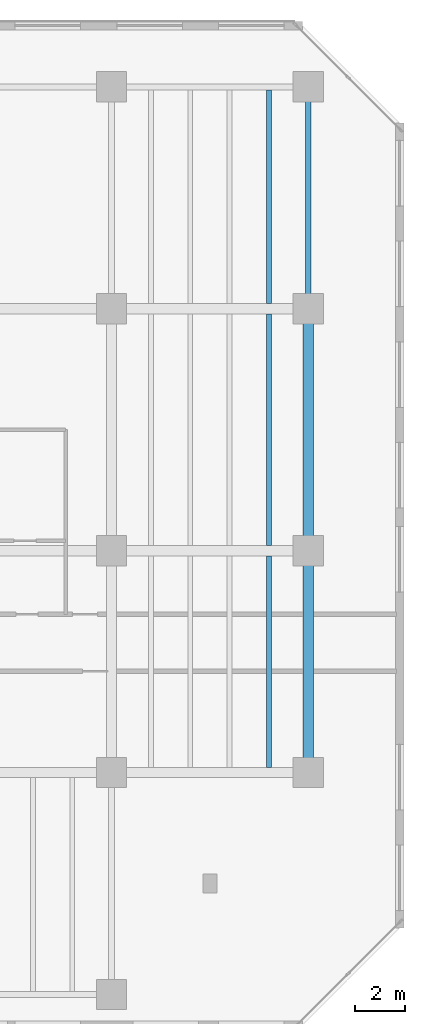
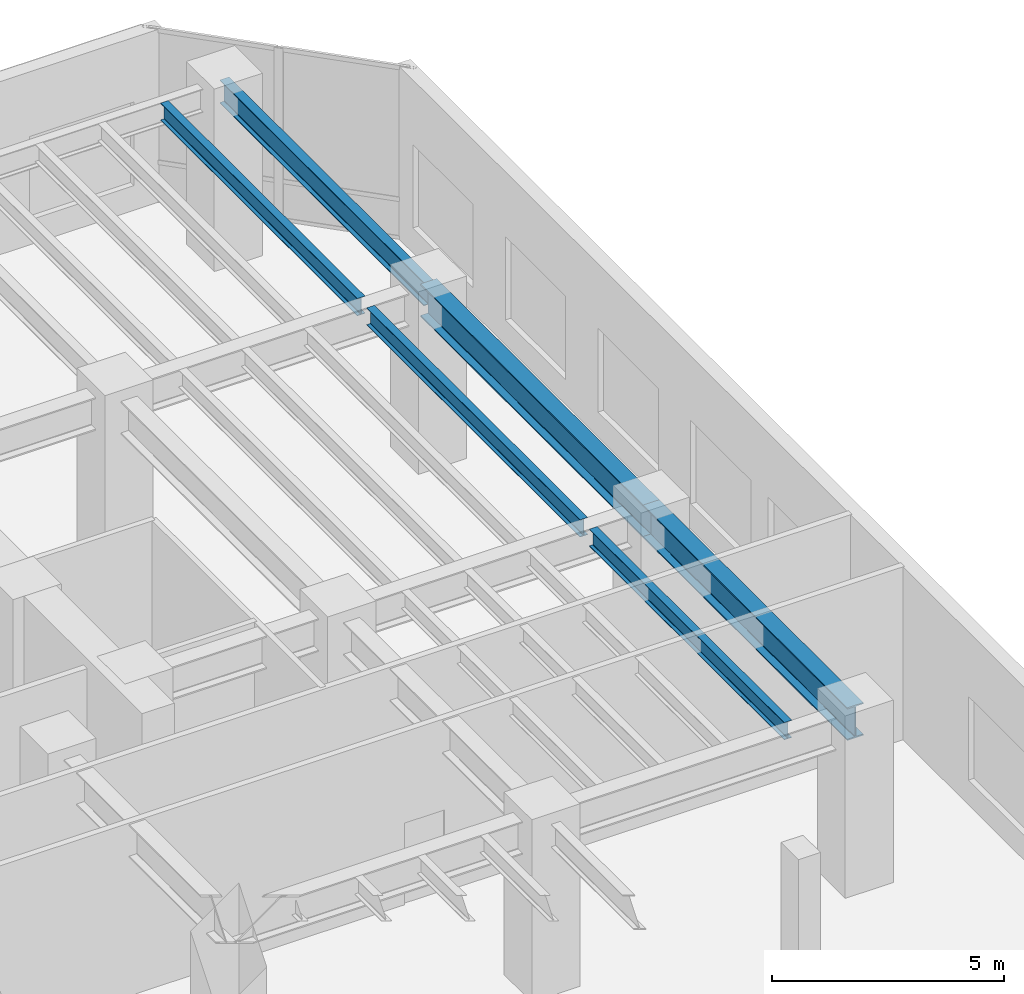
# One storey, part 7 of 17: 6 beams.
"""IFC4 building model written with IfcOpenShell, lengths in metres."""

from ifc_helpers import new_model, si_unit, direction, frame, origin, origin_2d, place, context, subcontext, project, spatial, i_section, extrude, material, material_profile, profile_set, type_object, element, save


model = new_model("IFC4")

# Units and contexts
model_context = context("Model", 3, precision=1e-05, world=origin(), true_north=direction((0.0, 1.0)))
body_context = subcontext(model_context, "Body", "Model", "MODEL_VIEW")
ifc_project = project(units=[si_unit("LENGTHUNIT", "METRE"), si_unit("AREAUNIT", "SQUARE_METRE"), si_unit("VOLUMEUNIT", "CUBIC_METRE"), si_unit("PLANEANGLEUNIT", "RADIAN"), si_unit("MASSUNIT", "GRAM", prefix="KILO")], contexts=[model_context])

# Site, building, storey
site_placement = place(None, origin())
site = spatial("IfcSite", under=ifc_project, at=site_placement, CompositionType="ELEMENT")
building_placement = place(site_placement, origin())
building = spatial("IfcBuilding", under=site, at=building_placement, Name="Kestravale Grand Hotel", CompositionType="ELEMENT")
storey_placement = place(building_placement, frame((0.0, 0.0, 129.800048828125)))
storey = spatial("IfcBuildingStorey", under=building, at=storey_placement, Name="L32", CompositionType="ELEMENT", Elevation=129.800048828125)

# Beams
ifc_material_1 = material(Name="Steel ASTM A992 Grade 50", Category="steel")
ifc_material_profile_1 = material_profile(ifc_material_1, i_section(OverallWidth=0.19091796875, OverallDepth=0.45703125, WebThickness=0.009033203125, FlangeThickness=0.014404296875, FilletRadius=0.015380859375, at=origin_2d()))
ifc_profile_set_1 = profile_set([ifc_material_profile_1], Name="Steel ASTM A992 Grade 50")
beam_type_1 = type_object("IfcBeamType", Name="B-FLR-JST18", PredefinedType="JOIST", material=ifc_profile_set_1)
beam_1_placement = place(storey_placement, frame((68.639892578125, 20.200439453125, 4.281494140625), z_axis=(0.0, 1.0, 0.0), x_axis=(-1.0, 0.0, 0.0)))
element("IfcBeam", 1, at=beam_1_placement, inside=storey, type_object=beam_type_1, Name="L32 floor joist 10-11/D-E #4", PredefinedType="JOIST", context=body_context, shape_type="SweptSolid", body=[
    extrude(i_section(OverallWidth=0.19091796875, OverallDepth=0.45703125, WebThickness=0.009033203125, FlangeThickness=0.014404296875, FilletRadius=0.015380859375, at=origin_2d()), origin(), (0.0, 0.0, 1.0), 8.399169921875),
])
beam_2_placement = place(storey_placement, frame((68.639892578125, 29.00048828125, 4.281494140625), z_axis=(0.0, 1.0, 0.0), x_axis=(-1.0, 0.0, 0.0)))
element("IfcBeam", 2, at=beam_2_placement, inside=storey, type_object=beam_type_1, Name="L32 floor joist 10-11/E-F #4", PredefinedType="JOIST", context=body_context, shape_type="SweptSolid", body=[
    extrude(i_section(OverallWidth=0.19091796875, OverallDepth=0.45703125, WebThickness=0.009033203125, FlangeThickness=0.014404296875, FilletRadius=0.015380859375, at=origin_2d()), origin(), (0.0, 0.0, 1.0), 9.198974609375),
])
beam_3_placement = place(storey_placement, frame((68.639892578125, 38.6005859375, 4.281494140625), z_axis=(0.0, 1.0, 0.0), x_axis=(-1.0, 0.0, 0.0)))
element("IfcBeam", 3, at=beam_3_placement, inside=storey, type_object=beam_type_1, Name="L32 floor joist 10-11/F-G #4", PredefinedType="JOIST", context=body_context, shape_type="SweptSolid", body=[
    extrude(i_section(OverallWidth=0.19091796875, OverallDepth=0.45703125, WebThickness=0.009033203125, FlangeThickness=0.014404296875, FilletRadius=0.015380859375, at=origin_2d()), origin(), (0.0, 0.0, 1.0), 8.48486328125),
])
ifc_material_2 = material(Name="Steel ASTM A992 Grade 50", Category="steel")
ifc_material_profile_2 = material_profile(ifc_material_2, i_section(OverallWidth=0.22900390625, OverallDepth=0.612060546875, WebThickness=0.011962890625, FlangeThickness=0.01953125, FilletRadius=0.019287109375, at=origin_2d()))
ifc_profile_set_2 = profile_set([ifc_material_profile_2], Name="Steel ASTM A992 Grade 50")
beam_type_2 = type_object("IfcBeamType", Name="B-FLR-W24B", PredefinedType="SPANDREL", material=ifc_profile_set_2)
beam_4_placement = place(storey_placement, frame((70.199951171875, 38.39990234375, 4.203857421875), z_axis=(0.0, 1.0, 0.0), x_axis=(-1.0, 0.0, 0.0)))
element("IfcBeam", 4, at=beam_4_placement, inside=storey, type_object=beam_type_2, Name="L32 spandrel 11:F-G", PredefinedType="SPANDREL", context=body_context, shape_type="SweptSolid", body=[
    extrude(i_section(OverallWidth=0.22900390625, OverallDepth=0.612060546875, WebThickness=0.011962890625, FlangeThickness=0.01953125, FilletRadius=0.019287109375, at=origin_2d()), origin(), (0.0, 0.0, 1.0), 8.800048828125),
])
ifc_material_3 = material(Name="Steel ASTM A992 Grade 50", Category="steel")
ifc_material_profile_3 = material_profile(ifc_material_3, i_section(OverallWidth=0.40087890625, OverallDepth=0.861083984375, WebThickness=0.019775390625, FlangeThickness=0.032470703125, FilletRadius=0.0234375, at=origin_2d()))
ifc_profile_set_3 = profile_set([ifc_material_profile_3], Name="Steel ASTM A992 Grade 50")
beam_type_3 = type_object("IfcBeamType", Name="B-GRD-W33", PredefinedType="BEAM", material=ifc_profile_set_3)
beam_5_placement = place(storey_placement, frame((70.199951171875, 20.0, 4.079345703125), z_axis=(0.0, 1.0, 0.0), x_axis=(-1.0, 0.0, 0.0)))
element("IfcBeam", 5, at=beam_5_placement, inside=storey, type_object=beam_type_3, Name="L32 girder 11:D-E", PredefinedType="BEAM", context=body_context, shape_type="SweptSolid", body=[
    extrude(i_section(OverallWidth=0.40087890625, OverallDepth=0.861083984375, WebThickness=0.019775390625, FlangeThickness=0.032470703125, FilletRadius=0.0234375, at=origin_2d()), origin(), (0.0, 0.0, 1.0), 8.800048828125),
])
beam_6_placement = place(storey_placement, frame((70.199951171875, 28.800048828125, 4.079345703125), z_axis=(0.0, 1.0, 0.0), x_axis=(-1.0, 0.0, 0.0)))
element("IfcBeam", 6, at=beam_6_placement, inside=storey, type_object=beam_type_3, Name="L32 girder 11:E-F", PredefinedType="BEAM", context=body_context, shape_type="SweptSolid", body=[
    extrude(i_section(OverallWidth=0.40087890625, OverallDepth=0.861083984375, WebThickness=0.019775390625, FlangeThickness=0.032470703125, FilletRadius=0.0234375, at=origin_2d()), origin(), (0.0, 0.0, 1.0), 9.599853515625),
])

save(model, "model.ifc")
